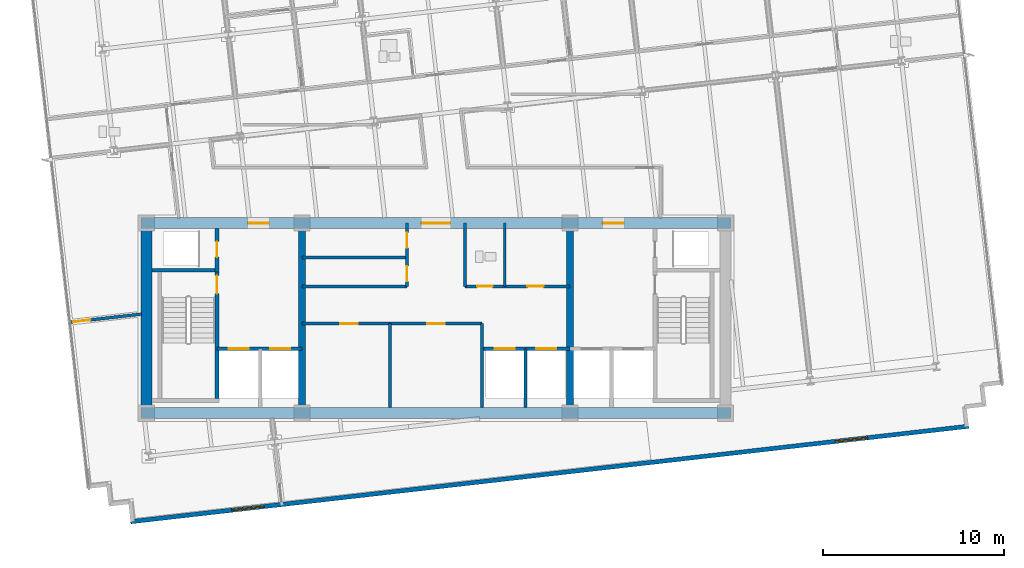
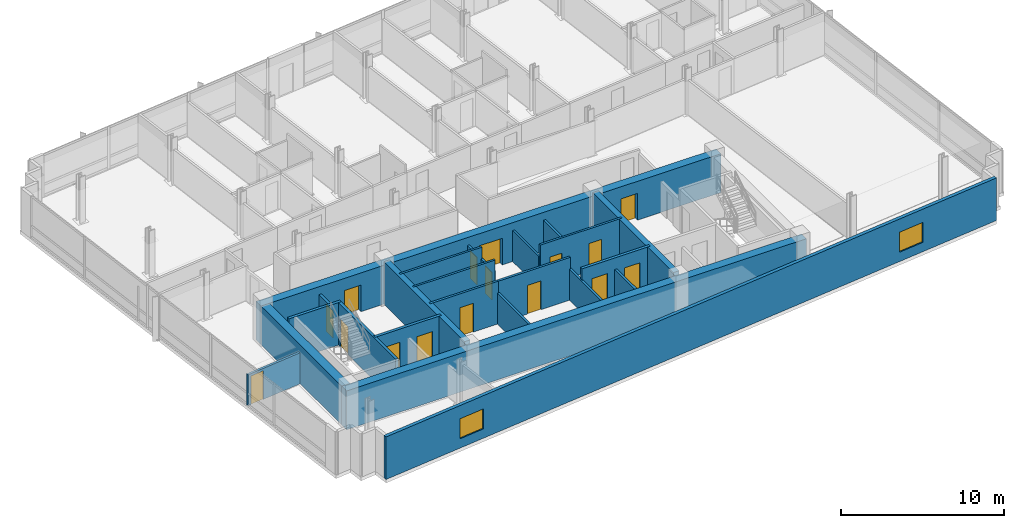
# One storey, part 8 of 16: 23 walls, 16 doors, 2 windows, 18 openings.
"""IFC4 building model written with IfcOpenShell, lengths in metres."""

from ifc_helpers import new_model, si_unit, direction, frame, frame_2d, origin, place, context, subcontext, project, spatial, rectangle, extrude, material, layer, layer_set, type_object, element, fill, save


model = new_model("IFC4")

# Units and contexts
model_context = context("Model", 3, precision=1e-05, world=origin(), true_north=direction((0.0, 1.0)))
body_context = subcontext(model_context, "Body", "Model", "MODEL_VIEW")
ifc_project = project(units=[si_unit("LENGTHUNIT", "METRE"), si_unit("AREAUNIT", "SQUARE_METRE"), si_unit("VOLUMEUNIT", "CUBIC_METRE"), si_unit("PLANEANGLEUNIT", "RADIAN"), si_unit("MASSUNIT", "GRAM", prefix="KILO")], contexts=[model_context])

# Site, building, storey
site_placement = place(None, origin())
site = spatial("IfcSite", under=ifc_project, at=site_placement, CompositionType="ELEMENT")
building_placement = place(site_placement, origin())
building = spatial("IfcBuilding", under=site, at=building_placement, Name="Solmavex Isthmus Hotel", CompositionType="ELEMENT")
storey_placement = place(building_placement, frame((0.0, 0.0, 208.949951171875)))
storey = spatial("IfcBuildingStorey", under=building, at=storey_placement, Name="L56", CompositionType="ELEMENT", Elevation=208.949951171875)

# Wall, openings, windows
ifc_material_1 = material(Name="Precast Concrete C40/50", Category="concrete")
ifc_layer_1 = layer(ifc_material_1, 0.25)
ifc_layer_set_1 = layer_set([ifc_layer_1], Name="Precast Concrete C40/50")
wall_type_1 = type_object("IfcWallType", Name="EW-TWR-250", PredefinedType="STANDARD", material=ifc_layer_set_1)
wall_1_placement = place(storey_placement, frame((-16.86962890625, -18.99951171875, 0.0), z_axis=(0.0, 0.0, 1.0), x_axis=(0.993571588328, 0.113205560228, 0.0)))
wall_1 = element("IfcWall", 1, at=wall_1_placement, inside=storey, type_object=wall_type_1, Name="Tower Rear South Facade Wall L56", PredefinedType="STANDARD", context=body_context, shape_type="SweptSolid", body=[
    extrude(rectangle(XDim=46.60009765625, YDim=0.239990234375, at=frame_2d((23.300048828125, 0.0))), origin(), (0.0, 0.0, 1.0), 3.18994140625),
])
opening_1_placement = place(wall_1_placement, frame((5.6240234375, 0.0, 0.699951171875)))
opening_1 = element("IfcOpeningElement", 2, at=opening_1_placement, cuts=wall_1, Name="Opening WN-02", PredefinedType="OPENING", context=body_context, shape_type="SweptSolid", body=[
    extrude(rectangle(XDim=1.800048828125, YDim=1.5, at=frame_2d((0.89990234375, 0.75))), frame((0.0, 0.1298828125, 0.0), z_axis=(0.0, -1.0, 0.0), x_axis=(1.0, 0.0, 0.0)), (0.0, 0.0, 1.0), 0.260009765625),
])
opening_2_placement = place(wall_1_placement, frame((39.176025390625, 0.0, 0.699951171875)))
opening_2 = element("IfcOpeningElement", 3, at=opening_2_placement, cuts=wall_1, Name="Opening WN-02", PredefinedType="OPENING", context=body_context, shape_type="SweptSolid", body=[
    extrude(rectangle(XDim=1.800048828125, YDim=1.5, at=frame_2d((0.89990234375, 0.75))), frame((0.0, 0.1298828125, 0.0), z_axis=(0.0, -1.0, 0.0), x_axis=(1.0, 0.0, 0.0)), (0.0, 0.0, 1.0), 0.260009765625),
])
ifc_material_2 = material(Name="Clear low-E laminated glass", Category="glass")
window_type = type_object("IfcWindowType", Name="WIN-TWR-1800", PartitioningType="SINGLE_PANEL", PredefinedType="WINDOW", material=ifc_material_2)
window_1_placement = place(opening_1_placement, origin())
window_1 = element("IfcWindow", 4, at=window_1_placement, inside=storey, type_object=window_type, Name="South Facade Vision Window L56-S1", OverallHeight=1.5, OverallWidth=1.800048828125, PartitioningType="SINGLE_PANEL", PredefinedType="WINDOW", context=body_context, shape_type="SweptSolid", body=[
    extrude(rectangle(XDim=1.800048828125, YDim=1.5, at=frame_2d((0.89990234375, 0.75))), frame((0.0, 0.030029296875, 0.0), z_axis=(0.0, -1.0, 0.0), x_axis=(1.0, 0.0, 0.0)), (0.0, 0.0, 1.0), 0.06005859375),
])
fill(opening_1, window_1)
window_2_placement = place(opening_2_placement, origin())
window_2 = element("IfcWindow", 5, at=window_2_placement, inside=storey, type_object=window_type, Name="South Facade Vision Window L56-S2", OverallHeight=1.5, OverallWidth=1.800048828125, PartitioningType="SINGLE_PANEL", PredefinedType="WINDOW", context=body_context, shape_type="SweptSolid", body=[
    extrude(rectangle(XDim=1.800048828125, YDim=1.5, at=frame_2d((0.89990234375, 0.75))), frame((0.0, 0.030029296875, 0.0), z_axis=(0.0, -1.0, 0.0), x_axis=(1.0, 0.0, 0.0)), (0.0, 0.0, 1.0), 0.06005859375),
])
fill(opening_2, window_2)

# Wall, opening, door
ifc_material_3 = material(Name="Gypsum plasterboard lining", Category="gypsum")
ifc_layer_2 = layer(ifc_material_3, 0.159912109375)
ifc_layer_set_2 = layer_set([ifc_layer_2], Name="Gypsum plasterboard lining")
wall_type_2 = type_object("IfcWallType", Name="IW-COMP-160", PredefinedType="PARTITIONING", material=ifc_layer_set_2)
wall_2_placement = place(storey_placement, frame((-7.39990234375, -8.050048828125, 0.0), z_axis=(0.0, 0.0, 1.0), x_axis=(1.0, 0.0, 0.0)))
wall_2 = element("IfcWall", 6, at=wall_2_placement, inside=storey, type_object=wall_type_2, Name="Interior Partition Wall W-L56-REC-PLL-N", PredefinedType="PARTITIONING", context=body_context, shape_type="SweptSolid", body=[
    extrude(rectangle(XDim=4.849853515625, YDim=0.159912109375, at=frame_2d((2.4248046875, 0.0))), origin(), (0.0, 0.0, 1.0), 3.18994140625),
])
opening_3_placement = place(wall_2_placement, frame((2.125, 0.0, 0.0)))
opening_3 = element("IfcOpeningElement", 7, at=opening_3_placement, cuts=wall_2, Name="Opening ID-C095", PredefinedType="OPENING", context=body_context, shape_type="SweptSolid", body=[
    extrude(rectangle(XDim=0.949951171875, YDim=2.14990234375, at=frame_2d((0.47509765625, 1.074951171875))), frame((0.0, 0.08984375, 0.0), z_axis=(0.0, -1.0, 0.0), x_axis=(1.0, 0.0, 0.0)), (0.0, 0.0, 1.0), 0.179931640625),
])
ifc_material_4 = material(Name="Hardwood timber", Category="wood")
door_type_1 = type_object("IfcDoorType", Name="IDR-FD60-0950", OperationType="NOTDEFINED", PredefinedType="DOOR", material=ifc_material_4)
door_1_placement = place(opening_3_placement, origin())
door_1 = element("IfcDoor", 8, at=door_1_placement, inside=storey, type_object=door_type_1, Name="Linen Reserve Door L56", OperationType="SINGLE_SWING_LEFT", OverallHeight=2.14990234375, OverallWidth=0.949951171875, PredefinedType="DOOR", context=body_context, shape_type="SweptSolid", body=[
    extrude(rectangle(XDim=0.949951171875, YDim=2.14990234375, at=frame_2d((0.47509765625, 1.074951171875))), frame((0.0, 0.02490234375, 0.0), z_axis=(0.0, -1.0, 0.0), x_axis=(1.0, 0.0, 0.0)), (0.0, 0.0, 1.0), 0.050048828125),
])
fill(opening_3, door_1)

# Wall
wall_3_placement = place(storey_placement, frame((-2.550048828125, -12.699951171875, 0.0), z_axis=(0.0, 0.0, 1.0), x_axis=(0.0, 1.0, 0.0)))
element("IfcWall", 9, at=wall_3_placement, inside=storey, type_object=wall_type_2, Name="Interior Partition Wall W-L56-REC-PLL-E", PredefinedType="PARTITIONING", context=body_context, shape_type="SweptSolid", body=[
    extrude(rectangle(XDim=4.64990234375, YDim=0.159912109375, at=frame_2d((2.324951171875, 0.0))), origin(), (0.0, 0.0, 1.0), 2.324951171875),
])

# Wall, opening, door
wall_4_placement = place(storey_placement, frame((-2.550048828125, -8.050048828125, 0.0), z_axis=(0.0, 0.0, 1.0), x_axis=(1.0, 0.0, 0.0)))
wall_4 = element("IfcWall", 10, at=wall_4_placement, inside=storey, type_object=wall_type_2, Name="Interior Partition Wall W-L56-REC-PLM-N", PredefinedType="PARTITIONING", context=body_context, shape_type="SweptSolid", body=[
    extrude(rectangle(XDim=5.10009765625, YDim=0.159912109375, at=frame_2d((2.550048828125, 0.0))), origin(), (0.0, 0.0, 1.0), 3.18994140625),
])
opening_4_placement = place(wall_4_placement, frame((2.074951171875, 0.0, 0.0)))
opening_4 = element("IfcOpeningElement", 11, at=opening_4_placement, cuts=wall_4, Name="Opening ID-C095", PredefinedType="OPENING", context=body_context, shape_type="SweptSolid", body=[
    extrude(rectangle(XDim=0.949951171875, YDim=2.14990234375, at=frame_2d((0.47509765625, 1.074951171875))), frame((0.0, 0.08984375, 0.0), z_axis=(0.0, -1.0, 0.0), x_axis=(1.0, 0.0, 0.0)), (0.0, 0.0, 1.0), 0.179931640625),
])
door_2_placement = place(opening_4_placement, origin())
door_2 = element("IfcDoor", 12, at=door_2_placement, inside=storey, type_object=door_type_1, Name="Butler Store Door L56", OperationType="SINGLE_SWING_RIGHT", OverallHeight=2.14990234375, OverallWidth=0.949951171875, PredefinedType="DOOR", context=body_context, shape_type="SweptSolid", body=[
    extrude(rectangle(XDim=0.949951171875, YDim=2.14990234375, at=frame_2d((0.47509765625, 1.074951171875))), frame((0.0, 0.02490234375, 0.0), z_axis=(0.0, -1.0, 0.0), x_axis=(1.0, 0.0, 0.0)), (0.0, 0.0, 1.0), 0.050048828125),
])
fill(opening_4, door_2)

# Wall
wall_5_placement = place(storey_placement, frame((2.550048828125, -12.699951171875, 0.0), z_axis=(0.0, 0.0, 1.0), x_axis=(0.0, 1.0, 0.0)))
element("IfcWall", 13, at=wall_5_placement, inside=storey, type_object=wall_type_2, Name="Interior Partition Wall W-L56-REC-PLM-E", PredefinedType="PARTITIONING", context=body_context, shape_type="SweptSolid", body=[
    extrude(rectangle(XDim=4.64990234375, YDim=0.159912109375, at=frame_2d((2.324951171875, 0.0))), origin(), (0.0, 0.0, 1.0), 2.324951171875),
])

# Wall, opening, door
wall_6_placement = place(storey_placement, frame((-16.26025390625, -7.52685546875, 0.0), z_axis=(0.0, 0.0, 1.0), x_axis=(-0.993571333357, -0.113207798012, 0.0)))
wall_6 = element("IfcWall", 14, at=wall_6_placement, inside=storey, type_object=wall_type_2, Name="Interior Partition Wall W-L56-P070", PredefinedType="PARTITIONING", context=body_context, shape_type="SweptSolid", body=[
    extrude(rectangle(XDim=4.024169921875, YDim=0.159912109375, at=frame_2d((2.01220703125, 0.0))), origin(), (0.0, 0.0, 1.0), 2.324951171875),
])
opening_5_placement = place(wall_6_placement, frame((2.8623046875, 0.0, 0.0)))
opening_5 = element("IfcOpeningElement", 15, at=opening_5_placement, cuts=wall_6, Name="Opening ID-C095", PredefinedType="OPENING", context=body_context, shape_type="SweptSolid", body=[
    extrude(rectangle(XDim=0.949951171875, YDim=2.14990234375, at=frame_2d((0.47509765625, 1.074951171875))), frame((0.0, 0.08984375, 0.0), z_axis=(0.0, -1.0, 0.0), x_axis=(1.0, 0.0, 0.0)), (0.0, 0.0, 1.0), 0.179931640625),
])
door_3_placement = place(opening_5_placement, frame((0.949951171875, 0.0, 0.0), z_axis=(0.0, 0.0, 1.0), x_axis=(-1.0, 0.0, 0.0)))
door_3 = element("IfcDoor", 16, at=door_3_placement, inside=storey, type_object=door_type_1, Name="Corporate Briefing Office Door L56-21", OperationType="SINGLE_SWING_LEFT", OverallHeight=2.14990234375, OverallWidth=0.949951171875, PredefinedType="DOOR", context=body_context, shape_type="SweptSolid", body=[
    extrude(rectangle(XDim=0.949951171875, YDim=2.14990234375, at=frame_2d((0.47509765625, 1.074951171875))), frame((0.0, 0.02490234375, 0.0), z_axis=(0.0, -1.0, 0.0), x_axis=(1.0, 0.0, 0.0)), (0.0, 0.0, 1.0), 0.050048828125),
])
fill(opening_5, door_3)

# Wall
ifc_layer_3 = layer(ifc_material_3, 0.14990234375)
ifc_layer_set_3 = layer_set([ifc_layer_3], Name="Gypsum plasterboard lining")
wall_type_3 = type_object("IfcWallType", Name="IW-CORR-150", PredefinedType="PARTITIONING", material=ifc_layer_set_3)
wall_7_placement = place(storey_placement, frame((-7.39990234375, -6.0, 0.0), z_axis=(0.0, 0.0, 1.0), x_axis=(1.0, 0.0, 0.0)))
element("IfcWall", 17, at=wall_7_placement, inside=storey, type_object=wall_type_3, Name="Interior Partition Wall W-L56-BOH-WS", PredefinedType="PARTITIONING", context=body_context, shape_type="SweptSolid", body=[
    extrude(rectangle(XDim=5.7998046875, YDim=0.14990234375, at=frame_2d((2.89990234375, 0.0))), origin(), (0.0, 0.0, 1.0), 3.18994140625),
])

# Wall, openings, doors
wall_8_placement = place(storey_placement, frame((-1.60009765625, -6.0, 0.0), z_axis=(0.0, 0.0, 1.0), x_axis=(0.0, 1.0, 0.0)))
wall_8 = element("IfcWall", 18, at=wall_8_placement, inside=storey, type_object=wall_type_3, Name="Interior Partition Wall W-L56-BOH-WE", PredefinedType="PARTITIONING", context=body_context, shape_type="SweptSolid", body=[
    extrude(rectangle(XDim=3.5, YDim=0.14990234375, at=frame_2d((1.75, 0.0))), origin(), (0.0, 0.0, 1.0), 2.324951171875),
])
opening_6_placement = place(wall_8_placement, frame((0.27490234375, 0.0, 0.0)))
opening_6 = element("IfcOpeningElement", 19, at=opening_6_placement, cuts=wall_8, Name="Opening ID-R085", PredefinedType="OPENING", context=body_context, shape_type="SweptSolid", body=[
    extrude(rectangle(XDim=0.85009765625, YDim=2.050048828125, at=frame_2d((0.425048828125, 1.02490234375))), frame((0.0, 0.0849609375, 0.0), z_axis=(0.0, -1.0, 0.0), x_axis=(1.0, 0.0, 0.0)), (0.0, 0.0, 1.0), 0.169921875),
])
opening_7_placement = place(wall_8_placement, frame((2.125, 0.0, 0.0)))
opening_7 = element("IfcOpeningElement", 20, at=opening_7_placement, cuts=wall_8, Name="Opening ID-R085", PredefinedType="OPENING", context=body_context, shape_type="SweptSolid", body=[
    extrude(rectangle(XDim=0.85009765625, YDim=2.050048828125, at=frame_2d((0.425048828125, 1.02490234375))), frame((0.0, 0.0849609375, 0.0), z_axis=(0.0, -1.0, 0.0), x_axis=(1.0, 0.0, 0.0)), (0.0, 0.0, 1.0), 0.169921875),
])
ifc_material_5 = material(Name="Steel ASTM A500 Grade C", Category="steel")
door_type_2 = type_object("IfcDoorType", Name="IDR-FD60-0850", OperationType="NOTDEFINED", PredefinedType="DOOR", material=ifc_material_5)
door_4_placement = place(opening_6_placement, origin())
door_4 = element("IfcDoor", 21, at=door_4_placement, inside=storey, type_object=door_type_2, Name="Housekeeping Door L56", OperationType="SINGLE_SWING_LEFT", OverallHeight=2.050048828125, OverallWidth=0.85009765625, PredefinedType="DOOR", context=body_context, shape_type="SweptSolid", body=[
    extrude(rectangle(XDim=0.85009765625, YDim=2.050048828125, at=frame_2d((0.425048828125, 1.02490234375))), frame((0.0, 0.02490234375, 0.0), z_axis=(0.0, -1.0, 0.0), x_axis=(1.0, 0.0, 0.0)), (0.0, 0.0, 1.0), 0.050048828125),
])
fill(opening_6, door_4)
door_5_placement = place(opening_7_placement, origin())
door_5 = element("IfcDoor", 22, at=door_5_placement, inside=storey, type_object=door_type_2, Name="Valet Store Door L56", OperationType="SINGLE_SWING_RIGHT", OverallHeight=2.050048828125, OverallWidth=0.85009765625, PredefinedType="DOOR", context=body_context, shape_type="SweptSolid", body=[
    extrude(rectangle(XDim=0.85009765625, YDim=2.050048828125, at=frame_2d((0.425048828125, 1.02490234375))), frame((0.0, 0.02490234375, 0.0), z_axis=(0.0, -1.0, 0.0), x_axis=(1.0, 0.0, 0.0)), (0.0, 0.0, 1.0), 0.050048828125),
])
fill(opening_7, door_5)

wall_9_placement = place(storey_placement, frame((1.60009765625, -6.0, 0.0), z_axis=(0.0, 0.0, 1.0), x_axis=(1.0, 0.0, 0.0)))
wall_9 = element("IfcWall", 23, at=wall_9_placement, inside=storey, type_object=wall_type_3, Name="Interior Partition Wall W-L56-BOH-ES", PredefinedType="PARTITIONING", context=body_context, shape_type="SweptSolid", body=[
    extrude(rectangle(XDim=5.7998046875, YDim=0.14990234375, at=frame_2d((2.89990234375, 0.0))), origin(), (0.0, 0.0, 1.0), 3.18994140625),
])
opening_8_placement = place(wall_9_placement, frame((0.675048828125, 0.0, 0.0)))
opening_8 = element("IfcOpeningElement", 24, at=opening_8_placement, cuts=wall_9, Name="Opening ID-R085", PredefinedType="OPENING", context=body_context, shape_type="SweptSolid", body=[
    extrude(rectangle(XDim=0.85009765625, YDim=2.050048828125, at=frame_2d((0.425048828125, 1.02490234375))), frame((0.0, 0.0849609375, 0.0), z_axis=(0.0, -1.0, 0.0), x_axis=(1.0, 0.0, 0.0)), (0.0, 0.0, 1.0), 0.169921875),
])
opening_9_placement = place(wall_9_placement, frame((3.449951171875, 0.0, 0.0)))
opening_9 = element("IfcOpeningElement", 25, at=opening_9_placement, cuts=wall_9, Name="Opening ID-C090", PredefinedType="OPENING", context=body_context, shape_type="SweptSolid", body=[
    extrude(rectangle(XDim=0.89990234375, YDim=2.10009765625, at=frame_2d((0.449951171875, 1.050048828125))), frame((0.0, 0.0849609375, 0.0), z_axis=(0.0, -1.0, 0.0), x_axis=(1.0, 0.0, 0.0)), (0.0, 0.0, 1.0), 0.169921875),
])
door_6_placement = place(opening_8_placement, frame((0.85009765625, 0.0, 0.0), z_axis=(0.0, 0.0, 1.0), x_axis=(-1.0, 0.0, 0.0)))
door_6 = element("IfcDoor", 26, at=door_6_placement, inside=storey, type_object=door_type_2, Name="Staff WC Door L56", OperationType="SINGLE_SWING_LEFT", OverallHeight=2.050048828125, OverallWidth=0.85009765625, PredefinedType="DOOR", context=body_context, shape_type="SweptSolid", body=[
    extrude(rectangle(XDim=0.85009765625, YDim=2.050048828125, at=frame_2d((0.425048828125, 1.02490234375))), frame((0.0, 0.02490234375, 0.0), z_axis=(0.0, -1.0, 0.0), x_axis=(1.0, 0.0, 0.0)), (0.0, 0.0, 1.0), 0.050048828125),
])
fill(opening_8, door_6)
door_type_3 = type_object("IfcDoorType", Name="IDR-FD60-0900", OperationType="NOTDEFINED", PredefinedType="DOOR", material=ifc_material_4)
door_7_placement = place(opening_9_placement, frame((0.89990234375, 0.0, 0.0), z_axis=(0.0, 0.0, 1.0), x_axis=(-1.0, 0.0, 0.0)))
door_7 = element("IfcDoor", 27, at=door_7_placement, inside=storey, type_object=door_type_3, Name="Room Service Door L56", OperationType="SINGLE_SWING_RIGHT", OverallHeight=2.10009765625, OverallWidth=0.89990234375, PredefinedType="DOOR", context=body_context, shape_type="SweptSolid", body=[
    extrude(rectangle(XDim=0.89990234375, YDim=2.10009765625, at=frame_2d((0.449951171875, 1.050048828125))), frame((0.0, 0.02490234375, 0.0), z_axis=(0.0, -1.0, 0.0), x_axis=(1.0, 0.0, 0.0)), (0.0, 0.0, 1.0), 0.050048828125),
])
fill(opening_9, door_7)

# Walls
wall_10_placement = place(storey_placement, frame((1.60009765625, -6.0, 0.0), z_axis=(0.0, 0.0, 1.0), x_axis=(0.0, 1.0, 0.0)))
element("IfcWall", 28, at=wall_10_placement, inside=storey, type_object=wall_type_3, Name="Interior Partition Wall W-L56-BOH-EW", PredefinedType="PARTITIONING", context=body_context, shape_type="SweptSolid", body=[
    extrude(rectangle(XDim=3.5, YDim=0.14990234375, at=frame_2d((1.75, 0.0))), origin(), (0.0, 0.0, 1.0), 2.324951171875),
])
ifc_layer_4 = layer(ifc_material_3, 0.1201171875)
ifc_layer_set_4 = layer_set([ifc_layer_4], Name="Gypsum plasterboard lining")
wall_type_4 = type_object("IfcWallType", Name="IW-PART-120", PredefinedType="PARTITIONING", material=ifc_layer_set_4)
wall_11_placement = place(storey_placement, frame((-7.39990234375, -4.39990234375, 0.0), z_axis=(0.0, 0.0, 1.0), x_axis=(1.0, 0.0, 0.0)))
element("IfcWall", 29, at=wall_11_placement, inside=storey, type_object=wall_type_4, Name="Interior Partition Wall W-L56-BOH-WH3", PredefinedType="PARTITIONING", context=body_context, shape_type="SweptSolid", body=[
    extrude(rectangle(XDim=5.7998046875, YDim=0.14990234375, at=frame_2d((2.89990234375, 0.0))), origin(), (0.0, 0.0, 1.0), 3.18994140625),
])
wall_12_placement = place(storey_placement, frame((3.800048828125, -6.0, 0.0), z_axis=(0.0, 0.0, 1.0), x_axis=(0.0, 1.0, 0.0)))
element("IfcWall", 30, at=wall_12_placement, inside=storey, type_object=wall_type_4, Name="Interior Partition Wall W-L56-BOH-EM3", PredefinedType="PARTITIONING", context=body_context, shape_type="SweptSolid", body=[
    extrude(rectangle(XDim=3.5, YDim=0.14990234375, at=frame_2d((1.75, 0.0))), origin(), (0.0, 0.0, 1.0), 2.324951171875),
])
ifc_material_6 = material(Name="Concrete C40/50", Category="concrete")
ifc_layer_5 = layer(ifc_material_6, 0.179931640625)
ifc_layer_set_5 = layer_set([ifc_layer_5], Name="Concrete C40/50")
wall_type_5 = type_object("IfcWallType", Name="IW-SHAFT-180", PredefinedType="PARTITIONING", material=ifc_layer_set_5)
wall_13_placement = place(storey_placement, frame((4.949951171875, -12.699951171875, 0.0), z_axis=(0.0, 0.0, 1.0), x_axis=(0.0, 1.0, 0.0)))
element("IfcWall", 31, at=wall_13_placement, inside=storey, type_object=wall_type_5, Name="Interior Partition Wall W-L56-SH-PLH-M", PredefinedType="PARTITIONING", context=body_context, shape_type="SweptSolid", body=[
    extrude(rectangle(XDim=3.25, YDim=0.179931640625, at=frame_2d((1.625, 0.0))), origin(), (0.0, 0.0, 1.0), 2.324951171875),
])

# Wall, opening, door
ifc_layer_6 = layer(ifc_material_6, 0.199951171875)
ifc_layer_set_6 = layer_set([ifc_layer_6], Name="Concrete C40/50")
wall_type_6 = type_object("IfcWallType", Name="IW-SHAFT-200", PredefinedType="PARTITIONING", material=ifc_layer_set_6)
wall_14_placement = place(storey_placement, frame((-12.10009765625, -5.199951171875, 0.0), z_axis=(0.0, 0.0, 1.0), x_axis=(0.0, 1.0, 0.0)))
wall_14 = element("IfcWall", 32, at=wall_14_placement, inside=storey, type_object=wall_type_6, Name="Interior Partition Wall W-L56-RSW-E", PredefinedType="PARTITIONING", context=body_context, shape_type="SweptSolid", body=[
    extrude(rectangle(XDim=2.39990234375, YDim=0.199951171875, at=frame_2d((1.199951171875, 0.0))), origin(), (0.0, 0.0, 1.0), 2.324951171875),
])
opening_10_placement = place(wall_14_placement, frame((0.824951171875, 0.0, 0.0)))
opening_10 = element("IfcOpeningElement", 33, at=opening_10_placement, cuts=wall_14, Name="Opening ID-R085", PredefinedType="OPENING", context=body_context, shape_type="SweptSolid", body=[
    extrude(rectangle(XDim=0.85009765625, YDim=2.050048828125, at=frame_2d((0.425048828125, 1.02490234375))), frame((0.0, 0.10986328125, 0.0), z_axis=(0.0, -1.0, 0.0), x_axis=(1.0, 0.0, 0.0)), (0.0, 0.0, 1.0), 0.219970703125),
])
door_8_placement = place(opening_10_placement, origin())
door_8 = element("IfcDoor", 34, at=door_8_placement, inside=storey, type_object=door_type_2, Name="Electrical Riser Door L56", OperationType="SINGLE_SWING_RIGHT", OverallHeight=2.050048828125, OverallWidth=0.85009765625, PredefinedType="DOOR", context=body_context, shape_type="SweptSolid", body=[
    extrude(rectangle(XDim=0.85009765625, YDim=2.050048828125, at=frame_2d((0.425048828125, 1.02490234375))), frame((0.0, 0.02490234375, 0.0), z_axis=(0.0, -1.0, 0.0), x_axis=(1.0, 0.0, 0.0)), (0.0, 0.0, 1.0), 0.050048828125),
])
fill(opening_10, door_8)

# Wall, openings, doors
wall_15_placement = place(storey_placement, frame((-12.10009765625, -9.449951171875, 0.0), z_axis=(0.0, 0.0, 1.0), x_axis=(1.0, 0.0, 0.0)))
wall_15 = element("IfcWall", 35, at=wall_15_placement, inside=storey, type_object=wall_type_6, Name="Interior Partition Wall W-L56-FFLW-S", PredefinedType="PARTITIONING", context=body_context, shape_type="SweptSolid", body=[
    extrude(rectangle(XDim=4.7001953125, YDim=0.199951171875, at=frame_2d((2.35009765625, 0.0))), origin(), (0.0, 0.0, 1.0), 3.18994140625),
])
opening_11_placement = place(wall_15_placement, frame((0.64990234375, 0.0, 0.0)))
opening_11 = element("IfcOpeningElement", 36, at=opening_11_placement, cuts=wall_15, Name="Opening LD-FF", PredefinedType="OPENING", context=body_context, shape_type="SweptSolid", body=[
    extrude(rectangle(XDim=1.10009765625, YDim=2.199951171875, at=frame_2d((0.550048828125, 1.10009765625))), frame((0.0, 0.10986328125, 0.0), z_axis=(0.0, -1.0, 0.0), x_axis=(1.0, 0.0, 0.0)), (0.0, 0.0, 1.0), 0.219970703125),
])
opening_12_placement = place(wall_15_placement, frame((2.949951171875, 0.0, 0.0)))
opening_12 = element("IfcOpeningElement", 37, at=opening_12_placement, cuts=wall_15, Name="Opening LD-SV", PredefinedType="OPENING", context=body_context, shape_type="SweptSolid", body=[
    extrude(rectangle(XDim=1.10009765625, YDim=2.199951171875, at=frame_2d((0.550048828125, 1.10009765625))), frame((0.0, 0.10986328125, 0.0), z_axis=(0.0, -1.0, 0.0), x_axis=(1.0, 0.0, 0.0)), (0.0, 0.0, 1.0), 0.219970703125),
])
ifc_material_7 = material(Name="Stainless steel 316", Category="steel")
door_type_4 = type_object("IfcDoorType", Name="LDR-FF-1100", OperationType="NOTDEFINED", PredefinedType="DOOR", material=ifc_material_7)
door_9_placement = place(opening_11_placement, origin())
door_9 = element("IfcDoor", 38, at=door_9_placement, inside=storey, type_object=door_type_4, Name="Lift Landing Door FFL-1 L56", OperationType="SLIDING_TO_LEFT", OverallHeight=2.199951171875, OverallWidth=1.10009765625, PredefinedType="DOOR", context=body_context, shape_type="SweptSolid", body=[
    extrude(rectangle(XDim=1.10009765625, YDim=2.199951171875, at=frame_2d((0.550048828125, 1.10009765625))), frame((0.0, 0.02490234375, 0.0), z_axis=(0.0, -1.0, 0.0), x_axis=(1.0, 0.0, 0.0)), (0.0, 0.0, 1.0), 0.050048828125),
])
fill(opening_11, door_9)
door_type_5 = type_object("IfcDoorType", Name="LDR-SV-1100", OperationType="NOTDEFINED", PredefinedType="DOOR", material=ifc_material_7)
door_10_placement = place(opening_12_placement, origin())
door_10 = element("IfcDoor", 39, at=door_10_placement, inside=storey, type_object=door_type_5, Name="Lift Landing Door SVL-1 L56", OperationType="SLIDING_TO_RIGHT", OverallHeight=2.199951171875, OverallWidth=1.10009765625, PredefinedType="DOOR", context=body_context, shape_type="SweptSolid", body=[
    extrude(rectangle(XDim=1.10009765625, YDim=2.199951171875, at=frame_2d((0.550048828125, 1.10009765625))), frame((0.0, 0.02490234375, 0.0), z_axis=(0.0, -1.0, 0.0), x_axis=(1.0, 0.0, 0.0)), (0.0, 0.0, 1.0), 0.050048828125),
])
fill(opening_12, door_10)

wall_16_placement = place(storey_placement, frame((2.550048828125, -9.449951171875, 0.0), z_axis=(0.0, 0.0, 1.0), x_axis=(1.0, 0.0, 0.0)))
wall_16 = element("IfcWall", 40, at=wall_16_placement, inside=storey, type_object=wall_type_6, Name="Interior Partition Wall W-L56-SH-PLH", PredefinedType="PARTITIONING", context=body_context, shape_type="SweptSolid", body=[
    extrude(rectangle(XDim=4.849853515625, YDim=0.199951171875, at=frame_2d((2.4248046875, 0.0))), origin(), (0.0, 0.0, 1.0), 3.18994140625),
])
opening_13_placement = place(wall_16_placement, frame((0.699951171875, 0.0, 0.0)))
opening_13 = element("IfcOpeningElement", 41, at=opening_13_placement, cuts=wall_16, Name="Opening LD-PL", PredefinedType="OPENING", context=body_context, shape_type="SweptSolid", body=[
    extrude(rectangle(XDim=1.10009765625, YDim=2.199951171875, at=frame_2d((0.550048828125, 1.10009765625))), frame((0.0, 0.10986328125, 0.0), z_axis=(0.0, -1.0, 0.0), x_axis=(1.0, 0.0, 0.0)), (0.0, 0.0, 1.0), 0.219970703125),
])
opening_14_placement = place(wall_16_placement, frame((3.0, 0.0, 0.0)))
opening_14 = element("IfcOpeningElement", 42, at=opening_14_placement, cuts=wall_16, Name="Opening LD-PL", PredefinedType="OPENING", context=body_context, shape_type="SweptSolid", body=[
    extrude(rectangle(XDim=1.10009765625, YDim=2.199951171875, at=frame_2d((0.550048828125, 1.10009765625))), frame((0.0, 0.10986328125, 0.0), z_axis=(0.0, -1.0, 0.0), x_axis=(1.0, 0.0, 0.0)), (0.0, 0.0, 1.0), 0.219970703125),
])
door_type_6 = type_object("IfcDoorType", Name="LDR-PL-1100", OperationType="NOTDEFINED", PredefinedType="DOOR", material=ifc_material_7)
door_11_placement = place(opening_13_placement, origin())
door_11 = element("IfcDoor", 43, at=door_11_placement, inside=storey, type_object=door_type_6, Name="Lift Landing Door PLH1 L56", OperationType="SLIDING_TO_LEFT", OverallHeight=2.199951171875, OverallWidth=1.10009765625, PredefinedType="DOOR", context=body_context, shape_type="SweptSolid", body=[
    extrude(rectangle(XDim=1.10009765625, YDim=2.199951171875, at=frame_2d((0.550048828125, 1.10009765625))), frame((0.0, 0.02490234375, 0.0), z_axis=(0.0, -1.0, 0.0), x_axis=(1.0, 0.0, 0.0)), (0.0, 0.0, 1.0), 0.050048828125),
])
fill(opening_13, door_11)
door_12_placement = place(opening_14_placement, origin())
door_12 = element("IfcDoor", 44, at=door_12_placement, inside=storey, type_object=door_type_6, Name="Lift Landing Door PLH2 L56", OperationType="SLIDING_TO_LEFT", OverallHeight=2.199951171875, OverallWidth=1.10009765625, PredefinedType="DOOR", context=body_context, shape_type="SweptSolid", body=[
    extrude(rectangle(XDim=1.10009765625, YDim=2.199951171875, at=frame_2d((0.550048828125, 1.10009765625))), frame((0.0, 0.02490234375, 0.0), z_axis=(0.0, -1.0, 0.0), x_axis=(1.0, 0.0, 0.0)), (0.0, 0.0, 1.0), 0.050048828125),
])
fill(opening_14, door_12)

# Walls
ifc_material_8 = material(Name="Concrete C50/60", Category="concrete")
ifc_layer_7 = layer(ifc_material_8, 0.39990234375)
ifc_layer_set_7 = layer_set([ifc_layer_7], Name="Concrete C50/60")
wall_type_7 = type_object("IfcWallType", Name="WALL-CW-400H", PredefinedType="SHEAR", material=ifc_layer_set_7)
for number, where, z_axis, x_axis, name in (
    (45, (-7.39990234375, -12.699951171875, 0.0), (0.0, 0.0, 1.0), (0.0, 1.0, 0.0), "Core Cross Shear Wall C1 L56"),
    (46, (7.39990234375, -12.699951171875, 0.0), (0.0, 0.0, 1.0), (0.0, 1.0, 0.0), "Core Cross Shear Wall C2 L56"),
):
    element("IfcWall", number, at=place(storey_placement, frame(where, z_axis=z_axis, x_axis=x_axis)), inside=storey, type_object=wall_type_7, Name=name, PredefinedType="SHEAR", context=body_context, shape_type="SweptSolid", body=[
        extrude(rectangle(XDim=9.89990234375, YDim=0.39990234375, at=frame_2d((4.949951171875, 0.0))), origin(), (0.0, 0.0, 1.0), 3.18994140625),
    ])
ifc_layer_8 = layer(ifc_material_8, 0.60009765625)
ifc_layer_set_8 = layer_set([ifc_layer_8], Name="Concrete C50/60")
wall_type_8 = type_object("IfcWallType", Name="WALL-CW-600", PredefinedType="SHEAR", material=ifc_layer_set_8)
wall_17_placement = place(storey_placement, frame((-16.300048828125, -13.0, 0.0), z_axis=(0.0, 0.0, 1.0), x_axis=(1.0, 0.0, 0.0)))
element("IfcWall", 47, at=wall_17_placement, inside=storey, type_object=wall_type_8, Name="Core Shear Wall South L56", PredefinedType="SHEAR", context=body_context, shape_type="SweptSolid", body=[
    extrude(rectangle(XDim=32.60009765625, YDim=0.60009765625, at=frame_2d((16.300048828125, 0.0))), origin(), (0.0, 0.0, 1.0), 2.91015625),
])

# Wall, openings, doors
wall_18_placement = place(storey_placement, frame((-16.300048828125, -2.5, 0.0), z_axis=(0.0, 0.0, 1.0), x_axis=(1.0, 0.0, 0.0)))
wall_18 = element("IfcWall", 48, at=wall_18_placement, inside=storey, type_object=wall_type_8, Name="Core Shear Wall North L56", PredefinedType="SHEAR", context=body_context, shape_type="SweptSolid", body=[
    extrude(rectangle(XDim=32.60009765625, YDim=0.60009765625, at=frame_2d((16.300048828125, 0.0))), origin(), (0.0, 0.0, 1.0), 2.91015625),
])
opening_15_placement = place(wall_18_placement, frame((5.925048828125, 0.0, 0.0)))
opening_15 = element("IfcOpeningElement", 49, at=opening_15_placement, cuts=wall_18, Name="Opening ID-F915", PredefinedType="OPENING", context=body_context, shape_type="SweptSolid", body=[
    extrude(rectangle(XDim=1.14990234375, YDim=2.0, at=frame_2d((0.574951171875, 1.0))), frame((0.0, 0.31005859375, 0.0), z_axis=(0.0, -1.0, 0.0), x_axis=(1.0, 0.0, 0.0)), (0.0, 0.0, 1.0), 0.6201171875),
])
opening_16_placement = place(wall_18_placement, frame((15.5, 0.0, 0.0)))
opening_16 = element("IfcOpeningElement", 50, at=opening_16_placement, cuts=wall_18, Name="Opening ID-F960", PredefinedType="OPENING", context=body_context, shape_type="SweptSolid", body=[
    extrude(rectangle(XDim=1.60009765625, YDim=2.0, at=frame_2d((0.800048828125, 1.0))), frame((0.0, 0.31005859375, 0.0), z_axis=(0.0, -1.0, 0.0), x_axis=(1.0, 0.0, 0.0)), (0.0, 0.0, 1.0), 0.6201171875),
])
opening_17_placement = place(wall_18_placement, frame((25.52490234375, 0.0, 0.0)))
opening_17 = element("IfcOpeningElement", 51, at=opening_17_placement, cuts=wall_18, Name="Opening ID-F915", PredefinedType="OPENING", context=body_context, shape_type="SweptSolid", body=[
    extrude(rectangle(XDim=1.14990234375, YDim=2.0, at=frame_2d((0.574951171875, 1.0))), frame((0.0, 0.31005859375, 0.0), z_axis=(0.0, -1.0, 0.0), x_axis=(1.0, 0.0, 0.0)), (0.0, 0.0, 1.0), 0.6201171875),
])
door_type_7 = type_object("IfcDoorType", Name="IDR-FD90-1150C", OperationType="NOTDEFINED", PredefinedType="DOOR", material=ifc_material_5)
door_13_placement = place(opening_15_placement, origin())
door_13 = element("IfcDoor", 52, at=door_13_placement, inside=storey, type_object=door_type_7, Name="Firefighting Lobby West Exit Door L56", OperationType="SINGLE_SWING_LEFT", OverallHeight=2.0, OverallWidth=1.14990234375, PredefinedType="DOOR", context=body_context, shape_type="SweptSolid", body=[
    extrude(rectangle(XDim=1.14990234375, YDim=2.0, at=frame_2d((0.574951171875, 1.0))), frame((0.0, 0.02490234375, 0.0), z_axis=(0.0, -1.0, 0.0), x_axis=(1.0, 0.0, 0.0)), (0.0, 0.0, 1.0), 0.050048828125),
])
fill(opening_15, door_13)
door_14_placement = place(opening_17_placement, origin())
door_14 = element("IfcDoor", 53, at=door_14_placement, inside=storey, type_object=door_type_7, Name="Firefighting Lobby East Exit Door L56", OperationType="SINGLE_SWING_RIGHT", OverallHeight=2.0, OverallWidth=1.14990234375, PredefinedType="DOOR", context=body_context, shape_type="SweptSolid", body=[
    extrude(rectangle(XDim=1.14990234375, YDim=2.0, at=frame_2d((0.574951171875, 1.0))), frame((0.0, 0.02490234375, 0.0), z_axis=(0.0, -1.0, 0.0), x_axis=(1.0, 0.0, 0.0)), (0.0, 0.0, 1.0), 0.050048828125),
])
fill(opening_17, door_14)
door_type_8 = type_object("IfcDoorType", Name="IDR-FD90-1600C", OperationType="NOTDEFINED", PredefinedType="DOOR", material=ifc_material_5)
door_15_placement = place(opening_16_placement, origin())
door_15 = element("IfcDoor", 54, at=door_15_placement, inside=storey, type_object=door_type_8, Name="Central Lift Lobby Door L56", OperationType="DOUBLE_DOOR_SINGLE_SWING", OverallHeight=2.0, OverallWidth=1.60009765625, PredefinedType="DOOR", context=body_context, shape_type="SweptSolid", body=[
    extrude(rectangle(XDim=1.60009765625, YDim=2.0, at=frame_2d((0.800048828125, 1.0))), frame((0.0, 0.02490234375, 0.0), z_axis=(0.0, -1.0, 0.0), x_axis=(1.0, 0.0, 0.0)), (0.0, 0.0, 1.0), 0.050048828125),
])
fill(opening_16, door_15)

# Walls
wall_19_placement = place(storey_placement, frame((-16.0, -12.699951171875, 0.0), z_axis=(0.0, 0.0, 1.0), x_axis=(0.0, 1.0, 0.0)))
element("IfcWall", 55, at=wall_19_placement, inside=storey, type_object=wall_type_8, Name="Core Shear Wall West L56", PredefinedType="SHEAR", context=body_context, shape_type="SweptSolid", body=[
    extrude(rectangle(XDim=9.89990234375, YDim=0.60009765625, at=frame_2d((4.949951171875, 0.0))), origin(), (0.0, 0.0, 1.0), 2.91015625),
])
ifc_layer_9 = layer(ifc_material_6, 0.199951171875)
ifc_layer_set_9 = layer_set([ifc_layer_9], Name="Concrete C40/50")
wall_type_9 = type_object("IfcWallType", Name="WALL-SW-200", PredefinedType="SOLIDWALL", material=ifc_layer_set_9)
wall_20_placement = place(storey_placement, frame((-15.699951171875, -5.10009765625, 0.0), z_axis=(0.0, 0.0, 1.0), x_axis=(1.0, 0.0, 0.0)))
element("IfcWall", 56, at=wall_20_placement, inside=storey, type_object=wall_type_9, Name="Stairwell Structural Wall SW-L56-ST1-N", PredefinedType="SOLIDWALL", context=body_context, shape_type="SweptSolid", body=[
    extrude(rectangle(XDim=3.699951171875, YDim=0.199951171875, at=frame_2d((1.85009765625, 0.0))), origin(), (0.0, 0.0, 1.0), 3.18994140625),
])

# Wall, opening, door
wall_21_placement = place(storey_placement, frame((-12.10009765625, -12.199951171875, 0.0), z_axis=(0.0, 0.0, 1.0), x_axis=(0.0, 1.0, 0.0)))
wall_21 = element("IfcWall", 57, at=wall_21_placement, inside=storey, type_object=wall_type_9, Name="Stairwell Structural Wall SW-L56-ST1-E", PredefinedType="SOLIDWALL", context=body_context, shape_type="SweptSolid", body=[
    extrude(rectangle(XDim=7.0, YDim=0.199951171875, at=frame_2d((3.5, 0.0))), origin(), (0.0, 0.0, 1.0), 3.18994140625),
])
opening_18_placement = place(wall_21_placement, frame((5.800048828125, 0.0, 0.0)))
opening_18 = element("IfcOpeningElement", 58, at=opening_18_placement, cuts=wall_21, Name="Opening ID-F100", PredefinedType="OPENING", context=body_context, shape_type="SweptSolid", body=[
    extrude(rectangle(XDim=1.0, YDim=2.10009765625, at=frame_2d((0.5, 1.050048828125))), frame((0.0, 0.10986328125, 0.0), z_axis=(0.0, -1.0, 0.0), x_axis=(1.0, 0.0, 0.0)), (0.0, 0.0, 1.0), 0.219970703125),
])
door_type_9 = type_object("IfcDoorType", Name="IDR-FD90-1000", OperationType="NOTDEFINED", PredefinedType="DOOR", material=ifc_material_5)
door_16_placement = place(opening_18_placement, frame((1.0, 0.0, 0.0), z_axis=(0.0, 0.0, 1.0), x_axis=(-1.0, 0.0, 0.0)))
door_16 = element("IfcDoor", 59, at=door_16_placement, inside=storey, type_object=door_type_9, Name="Stair ST-1 Fire Door L56", OperationType="SINGLE_SWING_LEFT", OverallHeight=2.10009765625, OverallWidth=1.0, PredefinedType="DOOR", context=body_context, shape_type="SweptSolid", body=[
    extrude(rectangle(XDim=1.0, YDim=2.10009765625, at=frame_2d((0.5, 1.050048828125))), frame((0.0, 0.02490234375, 0.0), z_axis=(0.0, -1.0, 0.0), x_axis=(1.0, 0.0, 0.0)), (0.0, 0.0, 1.0), 0.050048828125),
])
fill(opening_18, door_16)

save(model, "model.ifc")
